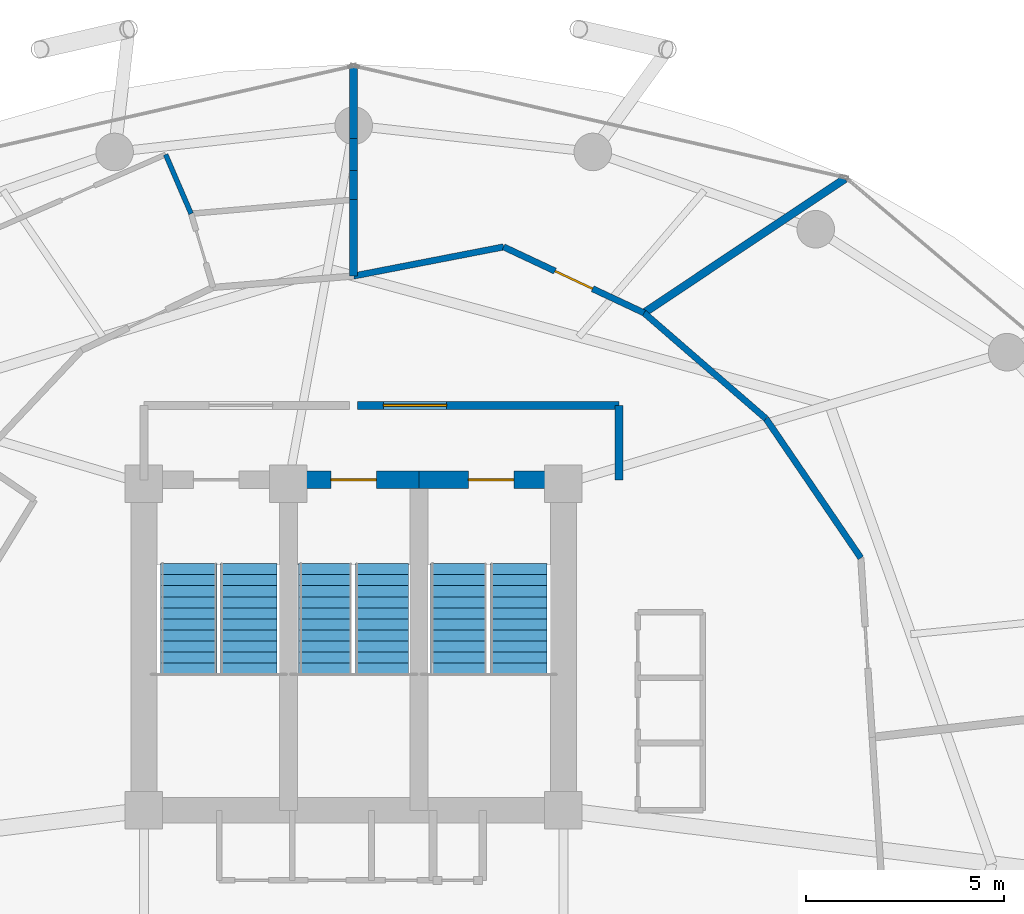
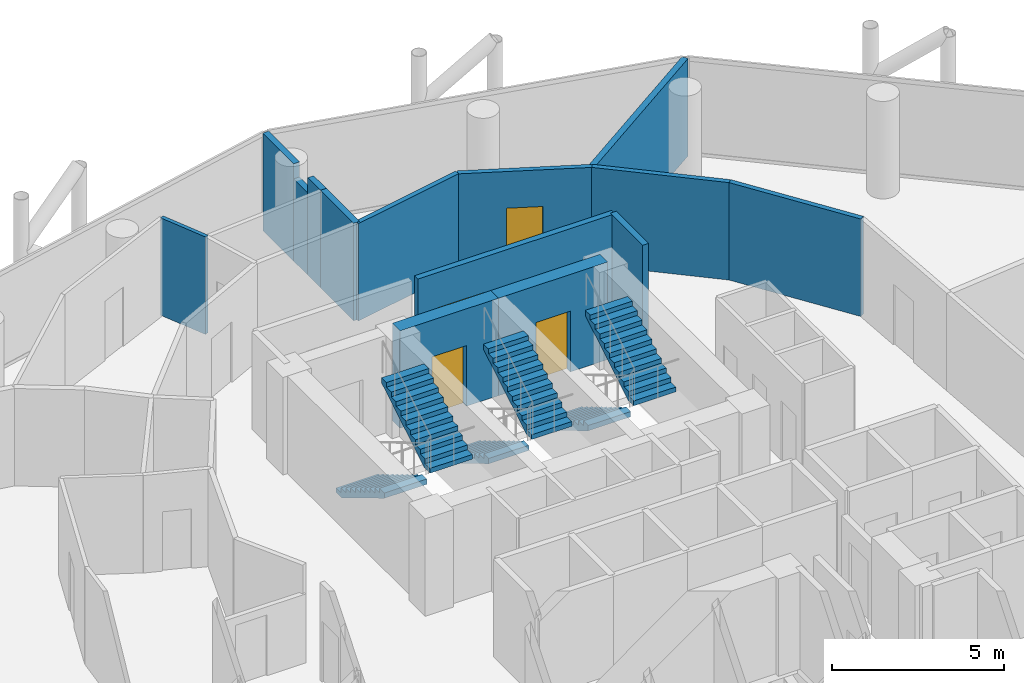
# One storey, part 25 of 26: 14 walls, 6 stair flights, 4 doors, 4 openings, 3 elements without a shape of their own.
"""IFC4 building model written with IfcOpenShell, lengths in metres."""

from ifc_helpers import new_model, si_unit, direction, frame, frame_2d, origin, place, context, subcontext, project, spatial, polyline, rectangle, outline, extrude, material, layer, layer_set, type_object, element, fill, aggregate, save


model = new_model("IFC4")

# Units and contexts
model_context = context("Model", 3, precision=1e-05, world=origin(), true_north=direction((0.0, 1.0)))
body_context = subcontext(model_context, "Body", "Model", "MODEL_VIEW")
ifc_project = project(units=[si_unit("LENGTHUNIT", "METRE"), si_unit("AREAUNIT", "SQUARE_METRE"), si_unit("VOLUMEUNIT", "CUBIC_METRE"), si_unit("PLANEANGLEUNIT", "RADIAN"), si_unit("MASSUNIT", "GRAM", prefix="KILO")], contexts=[model_context])

# Site, building, storey
site_placement = place(None, origin())
site = spatial("IfcSite", under=ifc_project, at=site_placement, CompositionType="ELEMENT")
building_placement = place(site_placement, origin())
building = spatial("IfcBuilding", under=site, at=building_placement, Name="Nuhasar Tower", CompositionType="ELEMENT")
storey_placement = place(building_placement, frame((0.0, 0.0, 133.050048828125)))
storey = spatial("IfcBuildingStorey", under=building, at=storey_placement, Name="L31", CompositionType="ELEMENT", Elevation=133.050048828125)

# Wall, opening, door
ifc_material_1 = material(Name="Concrete C50/60", Category="concrete")
ifc_layer_1 = layer(ifc_material_1, 0.449951171875)
ifc_layer_set_1 = layer_set([ifc_layer_1], Name="Concrete C50/60")
wall_type_1 = type_object("IfcWallType", Name="WL-CORE-450", PredefinedType="SHEAR", material=ifc_layer_set_1)
wall_1_placement = place(storey_placement, frame((40.64990234375, 37.39990234375, 0.0), z_axis=(0.0, 0.0, 1.0), x_axis=(-1.0, 0.0, 0.0)))
wall_1 = element("IfcWall", 1, at=wall_1_placement, inside=storey, type_object=wall_type_1, Name="L31 Stairwell Shear Wall ST03-N", PredefinedType="SHEAR", context=body_context, shape_type="SweptSolid", body=[
    extrude(rectangle(XDim=3.2998046875, YDim=0.449951171875, at=frame_2d((1.64990234375, 0.0))), origin(), (0.0, 0.0, 1.0), 3.449951171875),
])
opening_1_placement = place(wall_1_placement, frame((1.074951171875, 0.0, 0.0)))
opening_1 = element("IfcOpeningElement", 2, at=opening_1_placement, cuts=wall_1, Name="Opening DS-01", PredefinedType="OPENING", context=body_context, shape_type="SweptSolid", body=[
    extrude(rectangle(XDim=1.14990234375, YDim=2.14990234375, at=frame_2d((0.574951171875, 1.074951171875))), frame((0.0, 0.23486328125, 0.0), z_axis=(0.0, -1.0, 0.0), x_axis=(1.0, 0.0, 0.0)), (0.0, 0.0, 1.0), 0.469970703125),
])
ifc_material_2 = material(Name="Steel S355", Category="steel")
door_type_1 = type_object("IfcDoorType", Name="DR-STAIR-FD120-1150", OperationType="NOTDEFINED", PredefinedType="DOOR", material=ifc_material_2)
door_1_placement = place(opening_1_placement, origin())
door_1 = element("IfcDoor", 3, at=door_1_placement, inside=storey, type_object=door_type_1, Name="L31 Exit Stair ST-03 Door", OperationType="SINGLE_SWING_RIGHT", OverallHeight=2.14990234375, OverallWidth=1.14990234375, PredefinedType="DOOR", context=body_context, shape_type="SweptSolid", body=[
    extrude(rectangle(XDim=1.14990234375, YDim=2.14990234375, at=frame_2d((0.574951171875, 1.074951171875))), frame((0.0, 0.02490234375, 0.0), z_axis=(0.0, -1.0, 0.0), x_axis=(1.0, 0.0, 0.0)), (0.0, 0.0, 1.0), 0.050048828125),
])
fill(opening_1, door_1)

wall_2_placement = place(storey_placement, frame((44.300048828125, 37.39990234375, 0.0), z_axis=(0.0, 0.0, 1.0), x_axis=(-1.0, 0.0, 0.0)))
wall_2 = element("IfcWall", 4, at=wall_2_placement, inside=storey, type_object=wall_type_1, Name="L31 Stairwell Shear Wall ST02-N", PredefinedType="SHEAR", context=body_context, shape_type="SweptSolid", body=[
    extrude(rectangle(XDim=3.650146484375, YDim=0.449951171875, at=frame_2d((1.8251953125, 0.0))), origin(), (0.0, 0.0, 1.0), 3.449951171875),
])
opening_2_placement = place(wall_2_placement, frame((1.25, 0.0, 0.0)))
opening_2 = element("IfcOpeningElement", 5, at=opening_2_placement, cuts=wall_2, Name="Opening DS-01", PredefinedType="OPENING", context=body_context, shape_type="SweptSolid", body=[
    extrude(rectangle(XDim=1.14990234375, YDim=2.14990234375, at=frame_2d((0.574951171875, 1.074951171875))), frame((0.0, 0.23486328125, 0.0), z_axis=(0.0, -1.0, 0.0), x_axis=(1.0, 0.0, 0.0)), (0.0, 0.0, 1.0), 0.469970703125),
])
door_2_placement = place(opening_2_placement, origin())
door_2 = element("IfcDoor", 6, at=door_2_placement, inside=storey, type_object=door_type_1, Name="L31 Exit Stair ST-02 Door", OperationType="SINGLE_SWING_LEFT", OverallHeight=2.14990234375, OverallWidth=1.14990234375, PredefinedType="DOOR", context=body_context, shape_type="SweptSolid", body=[
    extrude(rectangle(XDim=1.14990234375, YDim=2.14990234375, at=frame_2d((0.574951171875, 1.074951171875))), frame((0.0, 0.02490234375, 0.0), z_axis=(0.0, -1.0, 0.0), x_axis=(1.0, 0.0, 0.0)), (0.0, 0.0, 1.0), 0.050048828125),
])
fill(opening_2, door_2)

# Walls
ifc_material_3 = material(Name="Gypsum Board", Category="gypsum")
ifc_layer_2 = layer(ifc_material_3, 0.159912109375)
ifc_layer_set_2 = layer_set([ifc_layer_2], Name="Gypsum Board")
wall_type_2 = type_object("IfcWallType", Name="WL-CORR-160", PredefinedType="PARTITIONING", material=ifc_layer_set_2)
wall_3_placement = place(storey_placement, frame((51.81396484375, 35.427001953125, 0.0), z_axis=(0.0, 0.0, 1.0), x_axis=(-0.563005951341, 0.826452841217, 0.0)))
element("IfcWall", 7, at=wall_3_placement, inside=storey, type_object=wall_type_2, Name="L31 Interior Partition CORR-04", PredefinedType="PARTITIONING", context=body_context, shape_type="SweptSolid", body=[
    extrude(rectangle(XDim=4.25927734375, YDim=0.159912109375, at=frame_2d((2.129638671875, 0.0))), origin(), (0.0, 0.0, 1.0), 3.449951171875),
])
wall_4_placement = place(storey_placement, frame((49.416015625, 38.947021484375, 0.0), z_axis=(0.0, 0.0, 1.0), x_axis=(-0.755507271242, 0.655140262158, 0.0)))
element("IfcWall", 8, at=wall_4_placement, inside=storey, type_object=wall_type_2, Name="L31 Interior Partition CORR-06", PredefinedType="PARTITIONING", context=body_context, shape_type="SweptSolid", body=[
    extrude(rectangle(XDim=4.076904296875, YDim=0.159912109375, at=frame_2d((2.03857421875, 0.0))), origin(), (0.0, 0.0, 1.0), 3.449951171875),
])

# Wall, opening, door
wall_5_placement = place(storey_placement, frame((42.7880859375, 43.284912109375, 0.0), z_axis=(0.0, 0.0, 1.0), x_axis=(0.905072606702, -0.425257071192, 0.0)))
wall_5 = element("IfcWall", 9, at=wall_5_placement, inside=storey, type_object=wall_type_2, Name="L31 Interior Partition CORR-08", PredefinedType="PARTITIONING", context=body_context, shape_type="SweptSolid", body=[
    extrude(rectangle(XDim=3.919921875, YDim=0.159912109375, at=frame_2d((1.9599609375, 0.0))), origin(), (0.0, 0.0, 1.0), 3.449951171875),
])
opening_3_placement = place(wall_5_placement, frame((1.43505859375, 0.0, 0.0)))
opening_3 = element("IfcOpeningElement", 10, at=opening_3_placement, cuts=wall_5, Name="Opening DU-01", PredefinedType="OPENING", context=body_context, shape_type="SweptSolid", body=[
    extrude(rectangle(XDim=1.050048828125, YDim=2.14990234375, at=frame_2d((0.52490234375, 1.074951171875))), frame((0.0, 0.08984375, 0.0), z_axis=(0.0, -1.0, 0.0), x_axis=(1.0, 0.0, 0.0)), (0.0, 0.0, 1.0), 0.179931640625),
])
ifc_material_4 = material(Name="Timber Oak", Category="wood")
door_type_2 = type_object("IfcDoorType", Name="DR-SUITE-FD60-1050", OperationType="NOTDEFINED", PredefinedType="DOOR", material=ifc_material_4)
door_3_placement = place(opening_3_placement, origin())
door_3 = element("IfcDoor", 11, at=door_3_placement, inside=storey, type_object=door_type_2, Name="L31 Pastry Service Kitchen Entrance Door", OperationType="SINGLE_SWING_LEFT", OverallHeight=2.14990234375, OverallWidth=1.050048828125, PredefinedType="DOOR", context=body_context, shape_type="SweptSolid", body=[
    extrude(rectangle(XDim=1.050048828125, YDim=2.14990234375, at=frame_2d((0.52490234375, 1.074951171875))), frame((0.0, 0.02490234375, 0.0), z_axis=(0.0, -1.0, 0.0), x_axis=(1.0, 0.0, 0.0)), (0.0, 0.0, 1.0), 0.050048828125),
])
fill(opening_3, door_3)

# Walls
wall_6_placement = place(storey_placement, frame((42.7880859375, 43.284912109375, 0.0), z_axis=(0.0, 0.0, 1.0), x_axis=(-0.981698277118, -0.190442885674, 0.0)))
element("IfcWall", 12, at=wall_6_placement, inside=storey, type_object=wall_type_2, Name="L31 Interior Partition CORR-10", PredefinedType="PARTITIONING", context=body_context, shape_type="SweptSolid", body=[
    extrude(rectangle(XDim=3.858642578125, YDim=0.159912109375, at=frame_2d((1.92919921875, 0.0))), origin(), (0.0, 0.0, 1.0), 3.449951171875),
])
ifc_material_5 = material(Name="Concrete C45/55", Category="concrete")
ifc_layer_3 = layer(ifc_material_5, 0.199951171875)
ifc_layer_set_3 = layer_set([ifc_layer_3], Name="Concrete C45/55")
wall_type_3 = type_object("IfcWallType", Name="WL-LOBBY-200", PredefinedType="SOLIDWALL", material=ifc_layer_set_3)
wall_7_placement = place(storey_placement, frame((45.699951171875, 37.39990234375, 0.0), z_axis=(0.0, 0.0, 1.0), x_axis=(0.0, 1.0, 0.0)))
element("IfcWall", 13, at=wall_7_placement, inside=storey, type_object=wall_type_3, Name="L31 Interior Partition NSL-E", PredefinedType="SOLIDWALL", context=body_context, shape_type="SweptSolid", body=[
    extrude(rectangle(XDim=1.880126953125, YDim=0.199951171875, at=frame_2d((0.93994140625, 0.0))), origin(), (0.0, 0.0, 1.0), 3.449951171875),
])

# Wall, opening, door
wall_8_placement = place(storey_placement, frame((45.699951171875, 39.280029296875, 0.0), z_axis=(0.0, 0.0, 1.0), x_axis=(-1.0, 0.0, 0.0)))
wall_8 = element("IfcWall", 14, at=wall_8_placement, inside=storey, type_object=wall_type_3, Name="L31 Interior Partition NSL-N2", PredefinedType="SOLIDWALL", context=body_context, shape_type="SweptSolid", body=[
    extrude(rectangle(XDim=6.599853515625, YDim=0.199951171875, at=frame_2d((3.2998046875, 0.0))), origin(), (0.0, 0.0, 1.0), 3.449951171875),
])
opening_4_placement = place(wall_8_placement, frame((4.35009765625, 0.0, 0.0)))
opening_4 = element("IfcOpeningElement", 15, at=opening_4_placement, cuts=wall_8, Name="Opening DC-01", PredefinedType="OPENING", context=body_context, shape_type="SweptSolid", body=[
    extrude(rectangle(XDim=1.60009765625, YDim=2.199951171875, at=frame_2d((0.800048828125, 1.10009765625))), frame((0.0, 0.10986328125, 0.0), z_axis=(0.0, -1.0, 0.0), x_axis=(1.0, 0.0, 0.0)), (0.0, 0.0, 1.0), 0.219970703125),
])
door_type_3 = type_object("IfcDoorType", Name="DR-CORR-FD60-1600", OperationType="DOUBLE_DOOR_SINGLE_SWING", PredefinedType="DOOR", material=ifc_material_2)
door_4_placement = place(opening_4_placement, origin())
door_4 = element("IfcDoor", 16, at=door_4_placement, inside=storey, type_object=door_type_3, Name="L31 North Stair Lobby East Door", OperationType="DOUBLE_DOOR_SINGLE_SWING", OverallHeight=2.199951171875, OverallWidth=1.60009765625, PredefinedType="DOOR", context=body_context, shape_type="SweptSolid", body=[
    extrude(rectangle(XDim=1.60009765625, YDim=2.199951171875, at=frame_2d((0.800048828125, 1.10009765625))), frame((0.0, 0.02490234375, 0.0), z_axis=(0.0, -1.0, 0.0), x_axis=(1.0, 0.0, 0.0)), (0.0, 0.0, 1.0), 0.050048828125),
])
fill(opening_4, door_4)

# Walls
ifc_layer_4 = layer(ifc_material_3, 0.125)
ifc_layer_set_4 = layer_set([ifc_layer_4], Name="Gypsum Board")
wall_type_4 = type_object("IfcWallType", Name="WL-PART-125", PredefinedType="PARTITIONING", material=ifc_layer_set_4)
wall_9_placement = place(storey_placement, frame((34.89111328125, 44.1240234375, 0.0), z_axis=(0.0, 0.0, 1.0), x_axis=(-0.395168288511, 0.918608743566, 0.0)))
element("IfcWall", 17, at=wall_9_placement, inside=storey, type_object=wall_type_4, Name="L31 Interior Partition HBS-06", PredefinedType="PARTITIONING", context=body_context, shape_type="SweptSolid", body=[
    extrude(rectangle(XDim=1.62744140625, YDim=0.125, at=frame_2d((0.813720703125, 0.0))), origin(), (0.0, 0.0, 1.0), 3.449951171875),
])
ifc_material_6 = material(Name="Concrete C40/50 precast", Category="concrete")
ifc_layer_5 = layer(ifc_material_6, 0.199951171875)
ifc_layer_set_5 = layer_set([ifc_layer_5], Name="Concrete C40/50 precast")
wall_type_5 = type_object("IfcWallType", Name="WL-UNIT-200", PredefinedType="PARTITIONING", material=ifc_layer_set_5)
wall_10_placement = place(storey_placement, frame((46.3359375, 41.617919921875, 0.0), z_axis=(0.0, 0.0, 1.0), x_axis=(0.831644013248, 0.555309134832, 0.0)))
element("IfcWall", 18, at=wall_10_placement, inside=storey, type_object=wall_type_5, Name="L31 Interior Partition HRAD-08", PredefinedType="PARTITIONING", context=body_context, shape_type="SweptSolid", body=[
    extrude(rectangle(XDim=6.10498046875, YDim=0.199951171875, at=frame_2d((3.052490234375, 0.0))), origin(), (0.0, 0.0, 1.0), 3.449951171875),
])
wall_11_placement = place(storey_placement, frame((39.0, 42.550048828125, 0.0), z_axis=(0.0, 0.0, 1.0), x_axis=(0.0, 1.0, 0.0)))
element("IfcWall", 19, at=wall_11_placement, inside=storey, type_object=wall_type_5, Name="L31 Interior Partition HRAD-12-S1", PredefinedType="PARTITIONING", context=body_context, shape_type="SweptSolid", body=[
    extrude(rectangle(XDim=1.929931640625, YDim=0.199951171875, at=frame_2d((0.96484375, 0.0))), origin(), (0.0, 0.0, 1.0), 3.449951171875),
])
wall_12_placement = place(storey_placement, frame((39.0, 44.47998046875, 0.0), z_axis=(0.0, 0.0, 1.0), x_axis=(0.0, 1.0, 0.0)))
element("IfcWall", 20, at=wall_12_placement, inside=storey, type_object=wall_type_5, Name="L31 Interior Partition HRAD-12-S2", PredefinedType="PARTITIONING", context=body_context, shape_type="SweptSolid", body=[
    extrude(rectangle(XDim=0.739013671875, YDim=0.199951171875, at=frame_2d((0.36962890625, 0.0))), origin(), (0.0, 0.0, 1.0), 3.449951171875),
])
wall_13_placement = place(storey_placement, frame((39.0, 45.218994140625, 0.0), z_axis=(0.0, 0.0, 1.0), x_axis=(0.0, 1.0, 0.0)))
element("IfcWall", 21, at=wall_13_placement, inside=storey, type_object=wall_type_5, Name="L31 Interior Partition HRAD-12-S2", PredefinedType="PARTITIONING", context=body_context, shape_type="SweptSolid", body=[
    extrude(rectangle(XDim=0.81103515625, YDim=0.199951171875, at=frame_2d((0.405517578125, 0.0))), origin(), (0.0, 0.0, 1.0), 2.9150390625),
])
wall_14_placement = place(storey_placement, frame((39.0, 46.030029296875, 0.0), z_axis=(0.0, 0.0, 1.0), x_axis=(0.0, 1.0, 0.0)))
element("IfcWall", 22, at=wall_14_placement, inside=storey, type_object=wall_type_5, Name="L31 Interior Partition HRAD-12-S3", PredefinedType="PARTITIONING", context=body_context, shape_type="SweptSolid", body=[
    extrude(rectangle(XDim=1.794921875, YDim=0.199951171875, at=frame_2d((0.8974609375, 0.0))), origin(), (0.0, 0.0, 1.0), 3.449951171875),
])

# Stair, stair flights
stair_type_1 = type_object("IfcStairType", Name="STR-ST-01-2F-22R-1682", PredefinedType="HALF_TURN_STAIR", material=ifc_material_5)
stair_1_placement = place(storey_placement, origin())
stair_1 = element("IfcStair", 23, at=stair_1_placement, inside=storey, type_object=stair_type_1, Name="L31 Exit Stair ST-01", PredefinedType="HALF_TURN_STAIR")
stair_flight_type_1 = type_object("IfcStairFlightType", Name="SFL-ST-01-11R-1682", PredefinedType="STRAIGHT", material=ifc_material_5)
stair_flight_1_placement = place(storey_placement, frame((34.830078125, 35.284912109375, 0.0), z_axis=(0.0, 0.0, 1.0), x_axis=(0.0, -1.0, 0.0)))
stair_flight_1 = element("IfcStairFlight", 24, at=stair_flight_1_placement, type_object=stair_flight_type_1, Name="ST-01 flight 1", NumberOfRisers=11, NumberOfTreads=10, PredefinedType="STRAIGHT", RiserHeight=0.168182, TreadLength=0.28, context=body_context, shape_type="SweptSolid", body=[
    extrude(outline(polyline([(0.0, 0.0), (0.0, 0.168212890625), (0.280029296875, 0.168212890625), (0.280029296875, 0.33642578125), (0.56005859375, 0.33642578125), (0.56005859375, 0.504638671875), (0.840087890625, 0.504638671875), (0.840087890625, 0.672607421875), (1.1201171875, 0.672607421875), (1.1201171875, 0.8408203125), (1.39990234375, 0.8408203125), (1.39990234375, 1.009033203125), (1.679931640625, 1.009033203125), (1.679931640625, 1.17724609375), (1.9599609375, 1.17724609375), (1.9599609375, 1.345458984375), (2.239990234375, 1.345458984375), (2.239990234375, 1.513671875), (2.52001953125, 1.513671875), (2.52001953125, 1.681884765625), (2.800048828125, 1.681884765625), (2.800048828125, 1.85009765625), (2.800048828125, 1.495361328125), (0.310546875, 0.0), (0.0, 0.0)])), frame((0.0, 0.7099609375, 0.0), z_axis=(0.0, -1.0, 0.0), x_axis=(1.0, 0.0, 0.0)), (0.0, 0.0, 1.0), 1.419921875),
])
stair_flight_2_placement = place(storey_placement, frame((36.35009765625, 32.485107421875, 1.849853515625), z_axis=(0.0, 0.0, 1.0), x_axis=(0.0, 1.0, 0.0)))
stair_flight_2 = element("IfcStairFlight", 25, at=stair_flight_2_placement, type_object=stair_flight_type_1, Name="ST-01 flight 2", NumberOfRisers=11, NumberOfTreads=10, PredefinedType="STRAIGHT", RiserHeight=0.168182, TreadLength=0.28, context=body_context, shape_type="SweptSolid", body=[
    extrude(outline(polyline([(0.0, 0.0), (0.0, 0.168212890625), (0.280029296875, 0.168212890625), (0.280029296875, 0.33642578125), (0.56005859375, 0.33642578125), (0.56005859375, 0.504638671875), (0.840087890625, 0.504638671875), (0.840087890625, 0.672607421875), (1.1201171875, 0.672607421875), (1.1201171875, 0.8408203125), (1.39990234375, 0.8408203125), (1.39990234375, 1.009033203125), (1.679931640625, 1.009033203125), (1.679931640625, 1.17724609375), (1.9599609375, 1.17724609375), (1.9599609375, 1.345458984375), (2.239990234375, 1.345458984375), (2.239990234375, 1.513671875), (2.52001953125, 1.513671875), (2.52001953125, 1.681884765625), (2.800048828125, 1.681884765625), (2.800048828125, 1.85009765625), (2.800048828125, 1.495361328125), (0.310546875, 0.0), (0.0, 0.0)])), frame((0.0, 0.7099609375, 0.0), z_axis=(0.0, -1.0, 0.0), x_axis=(1.0, 0.0, 0.0)), (0.0, 0.0, 1.0), 1.419921875),
])
aggregate(stair_1, [stair_flight_1, stair_flight_2])

stair_type_2 = type_object("IfcStairType", Name="STR-ST-02-2F-22R-1682", PredefinedType="HALF_TURN_STAIR", material=ifc_material_5)
stair_2_placement = place(storey_placement, origin())
stair_2 = element("IfcStair", 26, at=stair_2_placement, inside=storey, type_object=stair_type_2, Name="L31 Exit Stair ST-02", PredefinedType="HALF_TURN_STAIR")
stair_flight_type_2 = type_object("IfcStairFlightType", Name="SFL-ST-02-11R-1682", PredefinedType="STRAIGHT", material=ifc_material_5)
stair_flight_3_placement = place(storey_placement, frame((41.64990234375, 35.284912109375, 0.0), z_axis=(0.0, 0.0, 1.0), x_axis=(0.0, -1.0, 0.0)))
stair_flight_3 = element("IfcStairFlight", 27, at=stair_flight_3_placement, type_object=stair_flight_type_2, Name="ST-02 flight 1", NumberOfRisers=11, NumberOfTreads=10, PredefinedType="STRAIGHT", RiserHeight=0.168182, TreadLength=0.28, context=body_context, shape_type="SweptSolid", body=[
    extrude(outline(polyline([(0.0, 0.0), (0.0, 0.168212890625), (0.280029296875, 0.168212890625), (0.280029296875, 0.33642578125), (0.56005859375, 0.33642578125), (0.56005859375, 0.504638671875), (0.840087890625, 0.504638671875), (0.840087890625, 0.672607421875), (1.1201171875, 0.672607421875), (1.1201171875, 0.8408203125), (1.39990234375, 0.8408203125), (1.39990234375, 1.009033203125), (1.679931640625, 1.009033203125), (1.679931640625, 1.17724609375), (1.9599609375, 1.17724609375), (1.9599609375, 1.345458984375), (2.239990234375, 1.345458984375), (2.239990234375, 1.513671875), (2.52001953125, 1.513671875), (2.52001953125, 1.681884765625), (2.800048828125, 1.681884765625), (2.800048828125, 1.85009765625), (2.800048828125, 1.495361328125), (0.310546875, 0.0), (0.0, 0.0)])), frame((0.0, 0.7099609375, 0.0), z_axis=(0.0, -1.0, 0.0), x_axis=(1.0, 0.0, 0.0)), (0.0, 0.0, 1.0), 1.419921875),
])
stair_flight_4_placement = place(storey_placement, frame((43.169921875, 32.485107421875, 1.849853515625), z_axis=(0.0, 0.0, 1.0), x_axis=(0.0, 1.0, 0.0)))
stair_flight_4 = element("IfcStairFlight", 28, at=stair_flight_4_placement, type_object=stair_flight_type_2, Name="ST-02 flight 2", NumberOfRisers=11, NumberOfTreads=10, PredefinedType="STRAIGHT", RiserHeight=0.168182, TreadLength=0.28, context=body_context, shape_type="SweptSolid", body=[
    extrude(outline(polyline([(0.0, 0.0), (0.0, 0.168212890625), (0.280029296875, 0.168212890625), (0.280029296875, 0.33642578125), (0.56005859375, 0.33642578125), (0.56005859375, 0.504638671875), (0.840087890625, 0.504638671875), (0.840087890625, 0.672607421875), (1.1201171875, 0.672607421875), (1.1201171875, 0.8408203125), (1.39990234375, 0.8408203125), (1.39990234375, 1.009033203125), (1.679931640625, 1.009033203125), (1.679931640625, 1.17724609375), (1.9599609375, 1.17724609375), (1.9599609375, 1.345458984375), (2.239990234375, 1.345458984375), (2.239990234375, 1.513671875), (2.52001953125, 1.513671875), (2.52001953125, 1.681884765625), (2.800048828125, 1.681884765625), (2.800048828125, 1.85009765625), (2.800048828125, 1.495361328125), (0.310546875, 0.0), (0.0, 0.0)])), frame((0.0, 0.7099609375, 0.0), z_axis=(0.0, -1.0, 0.0), x_axis=(1.0, 0.0, 0.0)), (0.0, 0.0, 1.0), 1.419921875),
])
aggregate(stair_2, [stair_flight_3, stair_flight_4])

stair_type_3 = type_object("IfcStairType", Name="STR-ST-03-2F-22R-1682", PredefinedType="HALF_TURN_STAIR", material=ifc_material_5)
stair_3_placement = place(storey_placement, origin())
stair_3 = element("IfcStair", 29, at=stair_3_placement, inside=storey, type_object=stair_type_3, Name="L31 Exit Stair ST-03", PredefinedType="HALF_TURN_STAIR")
stair_flight_type_3 = type_object("IfcStairFlightType", Name="SFL-ST-03-11R-1682", PredefinedType="STRAIGHT", material=ifc_material_5)
stair_flight_5_placement = place(storey_placement, frame((38.280029296875, 35.284912109375, 0.0), z_axis=(0.0, 0.0, 1.0), x_axis=(0.0, -1.0, 0.0)))
stair_flight_5 = element("IfcStairFlight", 30, at=stair_flight_5_placement, type_object=stair_flight_type_3, Name="ST-03 flight 1", NumberOfRisers=11, NumberOfTreads=10, PredefinedType="STRAIGHT", RiserHeight=0.168182, TreadLength=0.28, context=body_context, shape_type="SweptSolid", body=[
    extrude(outline(polyline([(0.0, 0.0), (0.0, 0.168212890625), (0.280029296875, 0.168212890625), (0.280029296875, 0.33642578125), (0.56005859375, 0.33642578125), (0.56005859375, 0.504638671875), (0.840087890625, 0.504638671875), (0.840087890625, 0.672607421875), (1.1201171875, 0.672607421875), (1.1201171875, 0.8408203125), (1.39990234375, 0.8408203125), (1.39990234375, 1.009033203125), (1.679931640625, 1.009033203125), (1.679931640625, 1.17724609375), (1.9599609375, 1.17724609375), (1.9599609375, 1.345458984375), (2.239990234375, 1.345458984375), (2.239990234375, 1.513671875), (2.52001953125, 1.513671875), (2.52001953125, 1.681884765625), (2.800048828125, 1.681884765625), (2.800048828125, 1.85009765625), (2.800048828125, 1.495361328125), (0.310546875, 0.0), (0.0, 0.0)])), frame((0.0, 0.669921875, 0.0), z_axis=(0.0, -1.0, 0.0), x_axis=(1.0, 0.0, 0.0)), (0.0, 0.0, 1.0), 1.340087890625),
])
stair_flight_6_placement = place(storey_placement, frame((39.719970703125, 32.485107421875, 1.849853515625), z_axis=(0.0, 0.0, 1.0), x_axis=(0.0, 1.0, 0.0)))
stair_flight_6 = element("IfcStairFlight", 31, at=stair_flight_6_placement, type_object=stair_flight_type_3, Name="ST-03 flight 2", NumberOfRisers=11, NumberOfTreads=10, PredefinedType="STRAIGHT", RiserHeight=0.168182, TreadLength=0.28, context=body_context, shape_type="SweptSolid", body=[
    extrude(outline(polyline([(0.0, 0.0), (0.0, 0.168212890625), (0.280029296875, 0.168212890625), (0.280029296875, 0.33642578125), (0.56005859375, 0.33642578125), (0.56005859375, 0.504638671875), (0.840087890625, 0.504638671875), (0.840087890625, 0.672607421875), (1.1201171875, 0.672607421875), (1.1201171875, 0.8408203125), (1.39990234375, 0.8408203125), (1.39990234375, 1.009033203125), (1.679931640625, 1.009033203125), (1.679931640625, 1.17724609375), (1.9599609375, 1.17724609375), (1.9599609375, 1.345458984375), (2.239990234375, 1.345458984375), (2.239990234375, 1.513671875), (2.52001953125, 1.513671875), (2.52001953125, 1.681884765625), (2.800048828125, 1.681884765625), (2.800048828125, 1.85009765625), (2.800048828125, 1.495361328125), (0.310546875, 0.0), (0.0, 0.0)])), frame((0.0, 0.669921875, 0.0), z_axis=(0.0, -1.0, 0.0), x_axis=(1.0, 0.0, 0.0)), (0.0, 0.0, 1.0), 1.340087890625),
])
aggregate(stair_3, [stair_flight_5, stair_flight_6])

save(model, "model.ifc")
